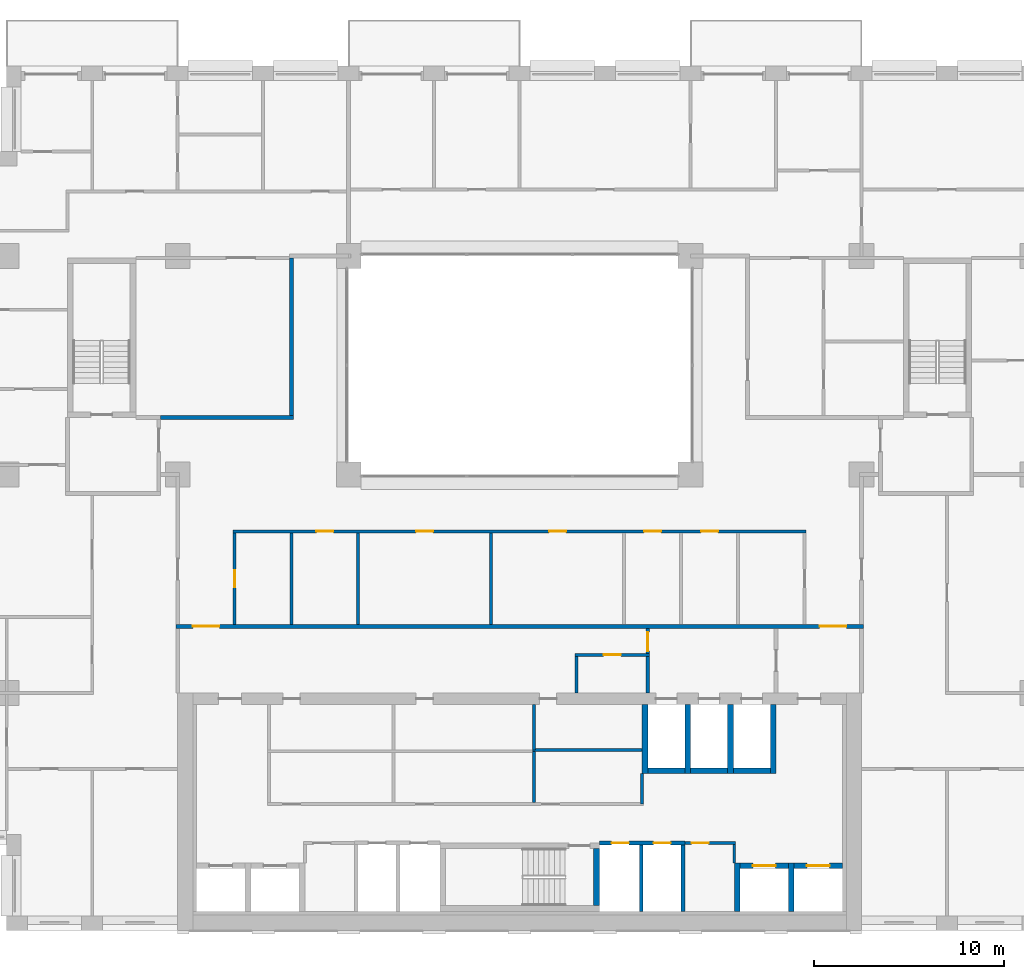
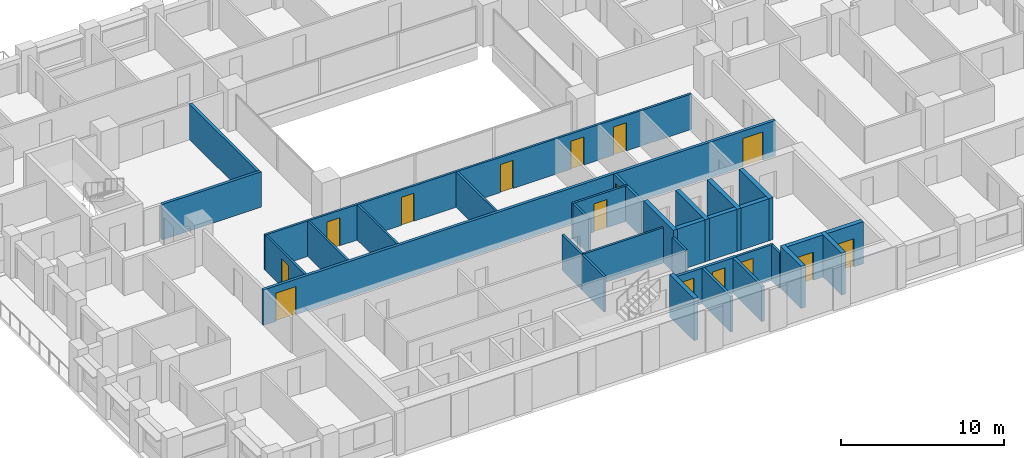
# One storey, part 10 of 17: 33 walls, 15 doors, 15 openings.
"""IFC4 building model written with IfcOpenShell, lengths in metres."""

from ifc_helpers import new_model, si_unit, direction, frame, frame_2d, origin, place, context, subcontext, project, spatial, rectangle, extrude, material, layer, layer_set, type_object, element, fill, save


model = new_model("IFC4")

# Units and contexts
model_context = context("Model", 3, precision=1e-05, world=origin(), true_north=direction((0.0, 1.0)))
body_context = subcontext(model_context, "Body", "Model", "MODEL_VIEW")
ifc_project = project(units=[si_unit("LENGTHUNIT", "METRE"), si_unit("AREAUNIT", "SQUARE_METRE"), si_unit("VOLUMEUNIT", "CUBIC_METRE"), si_unit("PLANEANGLEUNIT", "RADIAN"), si_unit("MASSUNIT", "GRAM", prefix="KILO")], contexts=[model_context])

# Site, building, storey
site_placement = place(None, origin())
site = spatial("IfcSite", under=ifc_project, at=site_placement, CompositionType="ELEMENT")
building_placement = place(site_placement, origin())
building = spatial("IfcBuilding", under=site, at=building_placement, Name="Brigalow Station Residences", CompositionType="ELEMENT")
storey_placement = place(building_placement, frame((0.0, 0.0, 127.64990234375)))
storey = spatial("IfcBuildingStorey", under=building, at=storey_placement, Name="L37", CompositionType="ELEMENT", Elevation=127.64990234375)

# Walls
ifc_material_1 = material(Name="Concrete C65", Category="concrete")
ifc_layer_1 = layer(ifc_material_1, 0.300048828125)
ifc_layer_set_1 = layer_set([ifc_layer_1], Name="CORE SHEAR WALL 300 C65")
wall_type_1 = type_object("IfcWallType", Name="CORE SHEAR WALL 300 C65", PredefinedType="SHEAR", material=ifc_layer_set_1)
wall_1_placement = place(storey_placement, frame((42.75, 8.39990234375, 0.0), z_axis=(0.0, 0.0, 1.0), x_axis=(1.0, 0.0, 0.0)))
element("IfcWall", 1, at=wall_1_placement, inside=storey, type_object=wall_type_1, Name="CORE WALL SH-FF1-S L37", PredefinedType="SHEAR", context=body_context, shape_type="SweptSolid", body=[
    extrude(rectangle(XDim=1.949951171875, YDim=0.300048828125, at=frame_2d((0.97509765625, 0.0))), origin(), (0.0, 0.0, 1.0), 3.150146484375),
])
wall_2_placement = place(storey_placement, frame((42.60009765625, 8.25, 0.0), z_axis=(0.0, 0.0, 1.0), x_axis=(0.0, 1.0, 0.0)))
element("IfcWall", 2, at=wall_2_placement, inside=storey, type_object=wall_type_1, Name="CORE WALL SH-FF1-W L37", PredefinedType="SHEAR", context=body_context, shape_type="SweptSolid", body=[
    extrude(rectangle(XDim=3.64990234375, YDim=0.300048828125, at=frame_2d((1.824951171875, 0.0))), origin(), (0.0, 0.0, 1.0), 3.150146484375),
])
wall_3_placement = place(storey_placement, frame((45.0, 8.39990234375, 0.0), z_axis=(0.0, 0.0, 1.0), x_axis=(1.0, 0.0, 0.0)))
element("IfcWall", 3, at=wall_3_placement, inside=storey, type_object=wall_type_1, Name="CORE WALL SH-FF2-S L37", PredefinedType="SHEAR", context=body_context, shape_type="SweptSolid", body=[
    extrude(rectangle(XDim=1.949951171875, YDim=0.300048828125, at=frame_2d((0.97509765625, 0.0))), origin(), (0.0, 0.0, 1.0), 3.150146484375),
])
wall_4_placement = place(storey_placement, frame((44.85009765625, 8.25, 0.0), z_axis=(0.0, 0.0, 1.0), x_axis=(0.0, 1.0, 0.0)))
element("IfcWall", 4, at=wall_4_placement, inside=storey, type_object=wall_type_1, Name="CORE WALL SH-FF2-W L37", PredefinedType="SHEAR", context=body_context, shape_type="SweptSolid", body=[
    extrude(rectangle(XDim=3.64990234375, YDim=0.300048828125, at=frame_2d((1.824951171875, 0.0))), origin(), (0.0, 0.0, 1.0), 3.150146484375),
])
wall_5_placement = place(storey_placement, frame((47.25, 8.39990234375, 0.0), z_axis=(0.0, 0.0, 1.0), x_axis=(1.0, 0.0, 0.0)))
element("IfcWall", 5, at=wall_5_placement, inside=storey, type_object=wall_type_1, Name="CORE WALL SH-SL1-S L37", PredefinedType="SHEAR", context=body_context, shape_type="SweptSolid", body=[
    extrude(rectangle(XDim=1.949951171875, YDim=0.300048828125, at=frame_2d((0.97509765625, 0.0))), origin(), (0.0, 0.0, 1.0), 3.150146484375),
])
for number, where, z_axis, x_axis, name in (
    (6, (47.10009765625, 8.25, 0.0), (0.0, 0.0, 1.0), (0.0, 1.0, 0.0), "CORE WALL SH-SL1-W L37"),
    (7, (49.35009765625, 8.25, 0.0), (0.0, 0.0, 1.0), (0.0, 1.0, 0.0), "CORE WALL SH-SL1-E L37"),
):
    element("IfcWall", number, at=place(storey_placement, frame(where, z_axis=z_axis, x_axis=x_axis)), inside=storey, type_object=wall_type_1, Name=name, PredefinedType="SHEAR", context=body_context, shape_type="SweptSolid", body=[
        extrude(rectangle(XDim=3.64990234375, YDim=0.300048828125, at=frame_2d((1.824951171875, 0.0))), origin(), (0.0, 0.0, 1.0), 3.150146484375),
    ])

# Wall, opening, door
wall_6_placement = place(storey_placement, frame((47.60009765625, 3.39990234375, 0.0), z_axis=(0.0, 0.0, 1.0), x_axis=(1.0, 0.0, 0.0)))
wall_6 = element("IfcWall", 8, at=wall_6_placement, inside=storey, type_object=wall_type_1, Name="CORE WALL SH-C3-N L37", PredefinedType="SHEAR", context=body_context, shape_type="SweptSolid", body=[
    extrude(rectangle(XDim=2.5498046875, YDim=0.300048828125, at=frame_2d((1.27490234375, 0.0))), origin(), (0.0, 0.0, 1.0), 3.150146484375),
])
opening_1_placement = place(wall_6_placement, frame((0.675048828125, 0.0, 0.0)))
opening_1 = element("IfcOpeningElement", 9, at=opening_1_placement, cuts=wall_6, Name="Opening LD-LB3", PredefinedType="OPENING", context=body_context, shape_type="SweptSolid", body=[
    extrude(rectangle(XDim=1.199951171875, YDim=2.10009765625, at=frame_2d((0.60009765625, 1.050048828125))), frame((0.0, 0.16015625, 0.0), z_axis=(0.0, -1.0, 0.0), x_axis=(1.0, 0.0, 0.0)), (0.0, 0.0, 1.0), 0.320068359375),
])
ifc_material_2 = material(Name="Stainless steel sliding door leaves", Category="steel")
door_type_1 = type_object("IfcDoorType", Name="LIFT LANDING DOOR 1200 x 2100", OperationType="DOUBLE_DOOR_SLIDING", PredefinedType="DOOR", material=ifc_material_2)
door_1_placement = place(opening_1_placement, origin())
door_1 = element("IfcDoor", 10, at=door_1_placement, inside=storey, type_object=door_type_1, Name="LANDING DOOR LB3", OperationType="DOUBLE_DOOR_SLIDING", OverallHeight=2.10009765625, OverallWidth=1.199951171875, PredefinedType="DOOR", context=body_context, shape_type="SweptSolid", body=[
    extrude(rectangle(XDim=1.199951171875, YDim=2.10009765625, at=frame_2d((0.60009765625, 1.050048828125))), frame((0.0, 0.02490234375, 0.0), z_axis=(0.0, -1.0, 0.0), x_axis=(1.0, 0.0, 0.0)), (0.0, 0.0, 1.0), 0.050048828125),
])
fill(opening_1, door_1)

# Wall
wall_7_placement = place(storey_placement, frame((47.449951171875, 1.0, 0.0), z_axis=(0.0, 0.0, 1.0), x_axis=(0.0, 1.0, 0.0)))
element("IfcWall", 11, at=wall_7_placement, inside=storey, type_object=wall_type_1, Name="CORE WALL SH-C3-W L37", PredefinedType="SHEAR", context=body_context, shape_type="SweptSolid", body=[
    extrude(rectangle(XDim=2.550048828125, YDim=0.300048828125, at=frame_2d((1.27490234375, 0.0))), origin(), (0.0, 0.0, 1.0), 3.150146484375),
])

# Wall, opening, door
wall_8_placement = place(storey_placement, frame((50.449951171875, 3.39990234375, 0.0), z_axis=(0.0, 0.0, 1.0), x_axis=(1.0, 0.0, 0.0)))
wall_8 = element("IfcWall", 12, at=wall_8_placement, inside=storey, type_object=wall_type_1, Name="CORE WALL SH-C4-N L37", PredefinedType="SHEAR", context=body_context, shape_type="SweptSolid", body=[
    extrude(rectangle(XDim=2.550048828125, YDim=0.300048828125, at=frame_2d((1.27490234375, 0.0))), origin(), (0.0, 0.0, 1.0), 3.150146484375),
])
opening_2_placement = place(wall_8_placement, frame((0.675048828125, 0.0, 0.0)))
opening_2 = element("IfcOpeningElement", 13, at=opening_2_placement, cuts=wall_8, Name="Opening LD-LB4", PredefinedType="OPENING", context=body_context, shape_type="SweptSolid", body=[
    extrude(rectangle(XDim=1.199951171875, YDim=2.10009765625, at=frame_2d((0.60009765625, 1.050048828125))), frame((0.0, 0.16015625, 0.0), z_axis=(0.0, -1.0, 0.0), x_axis=(1.0, 0.0, 0.0)), (0.0, 0.0, 1.0), 0.320068359375),
])
door_2_placement = place(opening_2_placement, origin())
door_2 = element("IfcDoor", 14, at=door_2_placement, inside=storey, type_object=door_type_1, Name="LANDING DOOR LB4", OperationType="DOUBLE_DOOR_SLIDING", OverallHeight=2.10009765625, OverallWidth=1.199951171875, PredefinedType="DOOR", context=body_context, shape_type="SweptSolid", body=[
    extrude(rectangle(XDim=1.199951171875, YDim=2.10009765625, at=frame_2d((0.60009765625, 1.050048828125))), frame((0.0, 0.02490234375, 0.0), z_axis=(0.0, -1.0, 0.0), x_axis=(1.0, 0.0, 0.0)), (0.0, 0.0, 1.0), 0.050048828125),
])
fill(opening_2, door_2)

# Walls
wall_9_placement = place(storey_placement, frame((50.300048828125, 1.0, 0.0), z_axis=(0.0, 0.0, 1.0), x_axis=(0.0, 1.0, 0.0)))
element("IfcWall", 15, at=wall_9_placement, inside=storey, type_object=wall_type_1, Name="CORE WALL SH-C4-W L37", PredefinedType="SHEAR", context=body_context, shape_type="SweptSolid", body=[
    extrude(rectangle(XDim=2.550048828125, YDim=0.300048828125, at=frame_2d((1.27490234375, 0.0))), origin(), (0.0, 0.0, 1.0), 3.150146484375),
])
wall_10_placement = place(storey_placement, frame((40.050048828125, 1.300048828125, 0.0), z_axis=(0.0, 0.0, 1.0), x_axis=(0.0, 1.0, 0.0)))
element("IfcWall", 16, at=wall_10_placement, inside=storey, type_object=wall_type_1, Name="CORE WALL ST-S2-E L37", PredefinedType="SHEAR", context=body_context, shape_type="SweptSolid", body=[
    extrude(rectangle(XDim=3.0, YDim=0.300048828125, at=frame_2d((1.5, 0.0))), origin(), (0.0, 0.0, 1.0), 3.150146484375),
])

# Wall, openings, doors
ifc_material_3 = material(Name="Concrete blockwork", Category="masonry")
ifc_layer_2 = layer(ifc_material_3, 0.199951171875)
ifc_layer_set_2 = layer_set([ifc_layer_2], Name="FIRE RATED CORE PARTITION 200")
wall_type_2 = type_object("IfcWallType", Name="FIRE RATED CORE PARTITION 200", PredefinedType="PARTITIONING", material=ifc_layer_set_2)
wall_11_placement = place(storey_placement, frame((40.199951171875, 4.60009765625, 0.0), z_axis=(0.0, 0.0, 1.0), x_axis=(1.0, 0.0, 0.0)))
wall_11 = element("IfcWall", 17, at=wall_11_placement, inside=storey, type_object=wall_type_2, Name="PW-5018", PredefinedType="PARTITIONING", context=body_context, shape_type="SweptSolid", body=[
    extrude(rectangle(XDim=4.5, YDim=0.199951171875, at=frame_2d((2.25, 0.0))), origin(), (0.0, 0.0, 1.0), 2.650146484375),
])
opening_3_placement = place(wall_11_placement, frame((0.64990234375, 0.0, 0.0)))
opening_3 = element("IfcOpeningElement", 18, at=opening_3_placement, cuts=wall_11, Name="Opening D-5009", PredefinedType="OPENING", context=body_context, shape_type="SweptSolid", body=[
    extrude(rectangle(XDim=0.89990234375, YDim=2.10009765625, at=frame_2d((0.449951171875, 1.050048828125))), frame((0.0, 0.10986328125, 0.0), z_axis=(0.0, -1.0, 0.0), x_axis=(1.0, 0.0, 0.0)), (0.0, 0.0, 1.0), 0.219970703125),
])
opening_4_placement = place(wall_11_placement, frame((2.85009765625, 0.0, 0.0)))
opening_4 = element("IfcOpeningElement", 19, at=opening_4_placement, cuts=wall_11, Name="Opening D-5010", PredefinedType="OPENING", context=body_context, shape_type="SweptSolid", body=[
    extrude(rectangle(XDim=0.89990234375, YDim=2.10009765625, at=frame_2d((0.449951171875, 1.050048828125))), frame((0.0, 0.10986328125, 0.0), z_axis=(0.0, -1.0, 0.0), x_axis=(1.0, 0.0, 0.0)), (0.0, 0.0, 1.0), 0.219970703125),
])
ifc_material_4 = material(Name="Steel fire door leaf in steel frame", Category="steel")
door_type_2 = type_object("IfcDoorType", Name="RISER ACCESS DOOR 900 x 2100 FD120", OperationType="SINGLE_SWING_LEFT", PredefinedType="DOOR", material=ifc_material_4)
door_3_placement = place(opening_3_placement, frame((0.89990234375, 0.0, 0.0), z_axis=(0.0, 0.0, 1.0), x_axis=(-1.0, 0.0, 0.0)))
door_3 = element("IfcDoor", 20, at=door_3_placement, inside=storey, type_object=door_type_2, Name="D-5009", OperationType="SINGLE_SWING_LEFT", OverallHeight=2.10009765625, OverallWidth=0.89990234375, PredefinedType="DOOR", context=body_context, shape_type="SweptSolid", body=[
    extrude(rectangle(XDim=0.89990234375, YDim=2.10009765625, at=frame_2d((0.449951171875, 1.050048828125))), frame((0.0, 0.02490234375, 0.0), z_axis=(0.0, -1.0, 0.0), x_axis=(1.0, 0.0, 0.0)), (0.0, 0.0, 1.0), 0.050048828125),
])
fill(opening_3, door_3)
door_4_placement = place(opening_4_placement, frame((0.89990234375, 0.0, 0.0), z_axis=(0.0, 0.0, 1.0), x_axis=(-1.0, 0.0, 0.0)))
door_4 = element("IfcDoor", 21, at=door_4_placement, inside=storey, type_object=door_type_2, Name="D-5010", OperationType="SINGLE_SWING_LEFT", OverallHeight=2.10009765625, OverallWidth=0.89990234375, PredefinedType="DOOR", context=body_context, shape_type="SweptSolid", body=[
    extrude(rectangle(XDim=0.89990234375, YDim=2.10009765625, at=frame_2d((0.449951171875, 1.050048828125))), frame((0.0, 0.02490234375, 0.0), z_axis=(0.0, -1.0, 0.0), x_axis=(1.0, 0.0, 0.0)), (0.0, 0.0, 1.0), 0.050048828125),
])
fill(opening_4, door_4)

# Walls
for number, where, z_axis, x_axis, name in (
    (22, (42.39990234375, 1.0, 0.0), (0.0, 0.0, 1.0), (0.0, 1.0, 0.0), "PW-5007"),
    (23, (44.60009765625, 1.0, 0.0), (0.0, 0.0, 1.0), (0.0, 1.0, 0.0), "PW-5008"),
):
    element("IfcWall", number, at=place(storey_placement, frame(where, z_axis=z_axis, x_axis=x_axis)), inside=storey, type_object=wall_type_2, Name=name, PredefinedType="PARTITIONING", context=body_context, shape_type="SweptSolid", body=[
        extrude(rectangle(XDim=3.5, YDim=0.199951171875, at=frame_2d((1.75, 0.0))), origin(), (0.0, 0.0, 1.0), 2.650146484375),
    ])
wall_12_placement = place(storey_placement, frame((42.75, 12.5, 0.0), z_axis=(0.0, 0.0, 1.0), x_axis=(0.0, 1.0, 0.0)))
element("IfcWall", 24, at=wall_12_placement, inside=storey, type_object=wall_type_2, Name="PW-5046", PredefinedType="PARTITIONING", context=body_context, shape_type="SweptSolid", body=[
    extrude(rectangle(XDim=1.925048828125, YDim=0.199951171875, at=frame_2d((0.96240234375, 0.0))), origin(), (0.0, 0.0, 1.0), 2.650146484375),
])

# Wall, opening, door
wall_13_placement = place(storey_placement, frame((42.75, 14.574951171875, 0.0), z_axis=(0.0, 0.0, 1.0), x_axis=(0.0, 1.0, 0.0)))
wall_13 = element("IfcWall", 25, at=wall_13_placement, inside=storey, type_object=wall_type_2, Name="PW-5047", PredefinedType="PARTITIONING", context=body_context, shape_type="SweptSolid", body=[
    extrude(rectangle(XDim=1.324951171875, YDim=0.199951171875, at=frame_2d((0.66259765625, 0.0))), origin(), (0.0, 0.0, 1.0), 2.650146484375),
])
opening_5_placement = place(wall_13_placement, frame((0.125, 0.0, 0.0)))
opening_5 = element("IfcOpeningElement", 26, at=opening_5_placement, cuts=wall_13, Name="Opening D-5013", PredefinedType="OPENING", context=body_context, shape_type="SweptSolid", body=[
    extrude(rectangle(XDim=1.0, YDim=2.10009765625, at=frame_2d((0.5, 1.050048828125))), frame((0.0, 0.10986328125, 0.0), z_axis=(0.0, -1.0, 0.0), x_axis=(1.0, 0.0, 0.0)), (0.0, 0.0, 1.0), 0.219970703125),
])
ifc_material_5 = material(Name="Steel fire door leaf in steel frame", Category="steel")
door_type_3 = type_object("IfcDoorType", Name="LOBBY DOOR 1000 x 2100 FD60S", OperationType="SINGLE_SWING_LEFT", PredefinedType="DOOR", material=ifc_material_5)
door_5_placement = place(opening_5_placement, origin())
door_5 = element("IfcDoor", 27, at=door_5_placement, inside=storey, type_object=door_type_3, Name="D-5013", OperationType="SINGLE_SWING_LEFT", OverallHeight=2.10009765625, OverallWidth=1.0, PredefinedType="DOOR", context=body_context, shape_type="SweptSolid", body=[
    extrude(rectangle(XDim=1.0, YDim=2.10009765625, at=frame_2d((0.5, 1.050048828125))), frame((0.0, 0.02490234375, 0.0), z_axis=(0.0, -1.0, 0.0), x_axis=(1.0, 0.0, 0.0)), (0.0, 0.0, 1.0), 0.050048828125),
])
fill(opening_5, door_5)

# Wall, openings, doors
ifc_material_6 = material(Name="Plasterboard on steel stud partition", Category="steel")
ifc_layer_3 = layer(ifc_material_6, 0.14990234375)
ifc_layer_set_3 = layer_set([ifc_layer_3], Name="FLAT PARTITION 150")
wall_type_3 = type_object("IfcWallType", Name="FLAT PARTITION 150", PredefinedType="PARTITIONING", material=ifc_layer_set_3)
wall_14_placement = place(storey_placement, frame((20.925048828125, 21.0, 0.0), z_axis=(0.0, 0.0, 1.0), x_axis=(1.0, 0.0, 0.0)))
wall_14 = element("IfcWall", 28, at=wall_14_placement, inside=storey, type_object=wall_type_3, Name="PW-2F01", PredefinedType="PARTITIONING", context=body_context, shape_type="SweptSolid", body=[
    extrude(rectangle(XDim=30.14990234375, YDim=0.14990234375, at=frame_2d((15.074951171875, 0.0))), origin(), (0.0, 0.0, 1.0), 2.650146484375),
])
opening_6_placement = place(wall_14_placement, frame((4.375, 0.0, 0.0)))
opening_6 = element("IfcOpeningElement", 29, at=opening_6_placement, cuts=wall_14, Name="Opening D-2F51", PredefinedType="OPENING", context=body_context, shape_type="SweptSolid", body=[
    extrude(rectangle(XDim=0.89990234375, YDim=2.10009765625, at=frame_2d((0.449951171875, 1.050048828125))), frame((0.0, 0.0849609375, 0.0), z_axis=(0.0, -1.0, 0.0), x_axis=(1.0, 0.0, 0.0)), (0.0, 0.0, 1.0), 0.169921875),
])
opening_7_placement = place(wall_14_placement, frame((9.625, 0.0, 0.0)))
opening_7 = element("IfcOpeningElement", 30, at=opening_7_placement, cuts=wall_14, Name="Opening D-2F52", PredefinedType="OPENING", context=body_context, shape_type="SweptSolid", body=[
    extrude(rectangle(XDim=0.89990234375, YDim=2.10009765625, at=frame_2d((0.449951171875, 1.050048828125))), frame((0.0, 0.0849609375, 0.0), z_axis=(0.0, -1.0, 0.0), x_axis=(1.0, 0.0, 0.0)), (0.0, 0.0, 1.0), 0.169921875),
])
opening_8_placement = place(wall_14_placement, frame((16.625, 0.0, 0.0)))
opening_8 = element("IfcOpeningElement", 31, at=opening_8_placement, cuts=wall_14, Name="Opening D-2F53", PredefinedType="OPENING", context=body_context, shape_type="SweptSolid", body=[
    extrude(rectangle(XDim=0.89990234375, YDim=2.10009765625, at=frame_2d((0.449951171875, 1.050048828125))), frame((0.0, 0.0849609375, 0.0), z_axis=(0.0, -1.0, 0.0), x_axis=(1.0, 0.0, 0.0)), (0.0, 0.0, 1.0), 0.169921875),
])
opening_9_placement = place(wall_14_placement, frame((21.625, 0.0, 0.0)))
opening_9 = element("IfcOpeningElement", 32, at=opening_9_placement, cuts=wall_14, Name="Opening D-2F54", PredefinedType="OPENING", context=body_context, shape_type="SweptSolid", body=[
    extrude(rectangle(XDim=0.89990234375, YDim=2.10009765625, at=frame_2d((0.449951171875, 1.050048828125))), frame((0.0, 0.0849609375, 0.0), z_axis=(0.0, -1.0, 0.0), x_axis=(1.0, 0.0, 0.0)), (0.0, 0.0, 1.0), 0.169921875),
])
opening_10_placement = place(wall_14_placement, frame((24.625, 0.0, 0.0)))
opening_10 = element("IfcOpeningElement", 33, at=opening_10_placement, cuts=wall_14, Name="Opening D-2F55", PredefinedType="OPENING", context=body_context, shape_type="SweptSolid", body=[
    extrude(rectangle(XDim=0.89990234375, YDim=2.10009765625, at=frame_2d((0.449951171875, 1.050048828125))), frame((0.0, 0.0849609375, 0.0), z_axis=(0.0, -1.0, 0.0), x_axis=(1.0, 0.0, 0.0)), (0.0, 0.0, 1.0), 0.169921875),
])
ifc_material_7 = material(Name="Solid-core timber door leaf", Category="wood")
door_type_4 = type_object("IfcDoorType", Name="INTERNAL DOOR 900 x 2100", OperationType="SINGLE_SWING_LEFT", PredefinedType="DOOR", material=ifc_material_7)
door_6_placement = place(opening_6_placement, frame((0.89990234375, 0.0, 0.0), z_axis=(0.0, 0.0, 1.0), x_axis=(-1.0, 0.0, 0.0)))
door_6 = element("IfcDoor", 34, at=door_6_placement, inside=storey, type_object=door_type_4, Name="D-2F51", OperationType="SINGLE_SWING_LEFT", OverallHeight=2.10009765625, OverallWidth=0.89990234375, PredefinedType="DOOR", context=body_context, shape_type="SweptSolid", body=[
    extrude(rectangle(XDim=0.89990234375, YDim=2.10009765625, at=frame_2d((0.449951171875, 1.050048828125))), frame((0.0, 0.02490234375, 0.0), z_axis=(0.0, -1.0, 0.0), x_axis=(1.0, 0.0, 0.0)), (0.0, 0.0, 1.0), 0.050048828125),
])
fill(opening_6, door_6)
door_7_placement = place(opening_7_placement, frame((0.89990234375, 0.0, 0.0), z_axis=(0.0, 0.0, 1.0), x_axis=(-1.0, 0.0, 0.0)))
door_7 = element("IfcDoor", 35, at=door_7_placement, inside=storey, type_object=door_type_4, Name="D-2F52", OperationType="SINGLE_SWING_LEFT", OverallHeight=2.10009765625, OverallWidth=0.89990234375, PredefinedType="DOOR", context=body_context, shape_type="SweptSolid", body=[
    extrude(rectangle(XDim=0.89990234375, YDim=2.10009765625, at=frame_2d((0.449951171875, 1.050048828125))), frame((0.0, 0.02490234375, 0.0), z_axis=(0.0, -1.0, 0.0), x_axis=(1.0, 0.0, 0.0)), (0.0, 0.0, 1.0), 0.050048828125),
])
fill(opening_7, door_7)
door_8_placement = place(opening_8_placement, frame((0.89990234375, 0.0, 0.0), z_axis=(0.0, 0.0, 1.0), x_axis=(-1.0, 0.0, 0.0)))
door_8 = element("IfcDoor", 36, at=door_8_placement, inside=storey, type_object=door_type_4, Name="D-2F53", OperationType="SINGLE_SWING_LEFT", OverallHeight=2.10009765625, OverallWidth=0.89990234375, PredefinedType="DOOR", context=body_context, shape_type="SweptSolid", body=[
    extrude(rectangle(XDim=0.89990234375, YDim=2.10009765625, at=frame_2d((0.449951171875, 1.050048828125))), frame((0.0, 0.02490234375, 0.0), z_axis=(0.0, -1.0, 0.0), x_axis=(1.0, 0.0, 0.0)), (0.0, 0.0, 1.0), 0.050048828125),
])
fill(opening_8, door_8)
door_9_placement = place(opening_9_placement, frame((0.89990234375, 0.0, 0.0), z_axis=(0.0, 0.0, 1.0), x_axis=(-1.0, 0.0, 0.0)))
door_9 = element("IfcDoor", 37, at=door_9_placement, inside=storey, type_object=door_type_4, Name="D-2F54", OperationType="SINGLE_SWING_RIGHT", OverallHeight=2.10009765625, OverallWidth=0.89990234375, PredefinedType="DOOR", context=body_context, shape_type="SweptSolid", body=[
    extrude(rectangle(XDim=0.89990234375, YDim=2.10009765625, at=frame_2d((0.449951171875, 1.050048828125))), frame((0.0, 0.02490234375, 0.0), z_axis=(0.0, -1.0, 0.0), x_axis=(1.0, 0.0, 0.0)), (0.0, 0.0, 1.0), 0.050048828125),
])
fill(opening_9, door_9)
door_10_placement = place(opening_10_placement, frame((0.89990234375, 0.0, 0.0), z_axis=(0.0, 0.0, 1.0), x_axis=(-1.0, 0.0, 0.0)))
door_10 = element("IfcDoor", 38, at=door_10_placement, inside=storey, type_object=door_type_4, Name="D-2F55", OperationType="SINGLE_SWING_LEFT", OverallHeight=2.10009765625, OverallWidth=0.89990234375, PredefinedType="DOOR", context=body_context, shape_type="SweptSolid", body=[
    extrude(rectangle(XDim=0.89990234375, YDim=2.10009765625, at=frame_2d((0.449951171875, 1.050048828125))), frame((0.0, 0.02490234375, 0.0), z_axis=(0.0, -1.0, 0.0), x_axis=(1.0, 0.0, 0.0)), (0.0, 0.0, 1.0), 0.050048828125),
])
fill(opening_10, door_10)

# Wall, opening, door
wall_15_placement = place(storey_placement, frame((21.0, 16.10009765625, 0.0), z_axis=(0.0, 0.0, 1.0), x_axis=(0.0, 1.0, 0.0)))
wall_15 = element("IfcWall", 39, at=wall_15_placement, inside=storey, type_object=wall_type_3, Name="PW-2F43", PredefinedType="PARTITIONING", context=body_context, shape_type="SweptSolid", body=[
    extrude(rectangle(XDim=4.824951171875, YDim=0.14990234375, at=frame_2d((2.41259765625, 0.0))), origin(), (0.0, 0.0, 1.0), 2.650146484375),
])
opening_11_placement = place(wall_15_placement, frame((1.949951171875, 0.0, 0.0)))
opening_11 = element("IfcOpeningElement", 40, at=opening_11_placement, cuts=wall_15, Name="Opening D-2F50", PredefinedType="OPENING", context=body_context, shape_type="SweptSolid", body=[
    extrude(rectangle(XDim=0.89990234375, YDim=2.10009765625, at=frame_2d((0.449951171875, 1.050048828125))), frame((0.0, 0.0849609375, 0.0), z_axis=(0.0, -1.0, 0.0), x_axis=(1.0, 0.0, 0.0)), (0.0, 0.0, 1.0), 0.169921875),
])
door_11_placement = place(opening_11_placement, frame((0.89990234375, 0.0, 0.0), z_axis=(0.0, 0.0, 1.0), x_axis=(-1.0, 0.0, 0.0)))
door_11 = element("IfcDoor", 41, at=door_11_placement, inside=storey, type_object=door_type_4, Name="D-2F50", OperationType="SINGLE_SWING_RIGHT", OverallHeight=2.10009765625, OverallWidth=0.89990234375, PredefinedType="DOOR", context=body_context, shape_type="SweptSolid", body=[
    extrude(rectangle(XDim=0.89990234375, YDim=2.10009765625, at=frame_2d((0.449951171875, 1.050048828125))), frame((0.0, 0.02490234375, 0.0), z_axis=(0.0, -1.0, 0.0), x_axis=(1.0, 0.0, 0.0)), (0.0, 0.0, 1.0), 0.050048828125),
])
fill(opening_11, door_11)

# Walls
for number, where, z_axis, x_axis, name in (
    (42, (24.0, 16.10009765625, 0.0), (0.0, 0.0, 1.0), (0.0, 1.0, 0.0), "PW-2F45"),
    (43, (27.5, 16.10009765625, 0.0), (0.0, 0.0, 1.0), (0.0, 1.0, 0.0), "PW-2F72"),
    (44, (34.5, 16.10009765625, 0.0), (0.0, 0.0, 1.0), (0.0, 1.0, 0.0), "PW-2F73"),
):
    element("IfcWall", number, at=place(storey_placement, frame(where, z_axis=z_axis, x_axis=x_axis)), inside=storey, type_object=wall_type_3, Name=name, PredefinedType="PARTITIONING", context=body_context, shape_type="SweptSolid", body=[
        extrude(rectangle(XDim=4.824951171875, YDim=0.14990234375, at=frame_2d((2.41259765625, 0.0))), origin(), (0.0, 0.0, 1.0), 2.650146484375),
    ])
ifc_material_8 = material(Name="Plasterboard on steel stud partition", Category="steel")
ifc_layer_4 = layer(ifc_material_8, 0.199951171875)
ifc_layer_set_4 = layer_set([ifc_layer_4], Name="PARTY AND CORRIDOR WALL 200")
wall_type_4 = type_object("IfcWallType", Name="PARTY AND CORRIDOR WALL 200", PredefinedType="PARTITIONING", material=ifc_layer_set_4)
wall_16_placement = place(storey_placement, frame((17.10009765625, 27.0, 0.0), z_axis=(0.0, 0.0, 1.0), x_axis=(1.0, 0.0, 0.0)))
element("IfcWall", 45, at=wall_16_placement, inside=storey, type_object=wall_type_4, Name="PW-2F05", PredefinedType="PARTITIONING", context=body_context, shape_type="SweptSolid", body=[
    extrude(rectangle(XDim=7.0, YDim=0.199951171875, at=frame_2d((3.5, 0.0))), origin(), (0.0, 0.0, 1.0), 2.650146484375),
])

# Wall, openings, doors
wall_17_placement = place(storey_placement, frame((17.89990234375, 16.0, 0.0), z_axis=(0.0, 0.0, 1.0), x_axis=(1.0, 0.0, 0.0)))
wall_17 = element("IfcWall", 46, at=wall_17_placement, inside=storey, type_object=wall_type_4, Name="PW-2F38", PredefinedType="PARTITIONING", context=body_context, shape_type="SweptSolid", body=[
    extrude(rectangle(XDim=36.2001953125, YDim=0.199951171875, at=frame_2d((18.10009765625, 0.0))), origin(), (0.0, 0.0, 1.0), 2.650146484375),
])
opening_12_placement = place(wall_17_placement, frame((0.89990234375, 0.0, 0.0)))
opening_12 = element("IfcOpeningElement", 47, at=opening_12_placement, cuts=wall_17, Name="Opening D-2F01", PredefinedType="OPENING", context=body_context, shape_type="SweptSolid", body=[
    extrude(rectangle(XDim=1.39990234375, YDim=2.10009765625, at=frame_2d((0.699951171875, 1.050048828125))), frame((0.0, 0.10986328125, 0.0), z_axis=(0.0, -1.0, 0.0), x_axis=(1.0, 0.0, 0.0)), (0.0, 0.0, 1.0), 0.219970703125),
])
opening_13_placement = place(wall_17_placement, frame((33.89990234375, 0.0, 0.0)))
opening_13 = element("IfcOpeningElement", 48, at=opening_13_placement, cuts=wall_17, Name="Opening D-2F02", PredefinedType="OPENING", context=body_context, shape_type="SweptSolid", body=[
    extrude(rectangle(XDim=1.39990234375, YDim=2.10009765625, at=frame_2d((0.699951171875, 1.050048828125))), frame((0.0, 0.10986328125, 0.0), z_axis=(0.0, -1.0, 0.0), x_axis=(1.0, 0.0, 0.0)), (0.0, 0.0, 1.0), 0.219970703125),
])
ifc_material_9 = material(Name="Solid-core timber door leaf", Category="wood")
door_type_5 = type_object("IfcDoorType", Name="CORRIDOR FIRE DOOR 1400 x 2100 FRL -/60/30", OperationType="DOUBLE_DOOR_SINGLE_SWING", PredefinedType="DOOR", material=ifc_material_9)
door_12_placement = place(opening_12_placement, frame((1.39990234375, 0.0, 0.0), z_axis=(0.0, 0.0, 1.0), x_axis=(-1.0, 0.0, 0.0)))
door_12 = element("IfcDoor", 49, at=door_12_placement, inside=storey, type_object=door_type_5, Name="D-2F01", OperationType="DOUBLE_DOOR_SINGLE_SWING", OverallHeight=2.10009765625, OverallWidth=1.39990234375, PredefinedType="DOOR", context=body_context, shape_type="SweptSolid", body=[
    extrude(rectangle(XDim=1.39990234375, YDim=2.10009765625, at=frame_2d((0.699951171875, 1.050048828125))), frame((0.0, 0.02490234375, 0.0), z_axis=(0.0, -1.0, 0.0), x_axis=(1.0, 0.0, 0.0)), (0.0, 0.0, 1.0), 0.050048828125),
])
fill(opening_12, door_12)
door_13_placement = place(opening_13_placement, frame((1.39990234375, 0.0, 0.0), z_axis=(0.0, 0.0, 1.0), x_axis=(-1.0, 0.0, 0.0)))
door_13 = element("IfcDoor", 50, at=door_13_placement, inside=storey, type_object=door_type_5, Name="D-2F02", OperationType="DOUBLE_DOOR_SINGLE_SWING", OverallHeight=2.10009765625, OverallWidth=1.39990234375, PredefinedType="DOOR", context=body_context, shape_type="SweptSolid", body=[
    extrude(rectangle(XDim=1.39990234375, YDim=2.10009765625, at=frame_2d((0.699951171875, 1.050048828125))), frame((0.0, 0.02490234375, 0.0), z_axis=(0.0, -1.0, 0.0), x_axis=(1.0, 0.0, 0.0)), (0.0, 0.0, 1.0), 0.050048828125),
])
fill(opening_13, door_13)

# Wall
wall_18_placement = place(storey_placement, frame((24.0, 27.10009765625, 0.0), z_axis=(0.0, 0.0, 1.0), x_axis=(0.0, 1.0, 0.0)))
element("IfcWall", 51, at=wall_18_placement, inside=storey, type_object=wall_type_4, Name="PW-2F46", PredefinedType="PARTITIONING", context=body_context, shape_type="SweptSolid", body=[
    extrude(rectangle(XDim=8.2998046875, YDim=0.199951171875, at=frame_2d((4.14990234375, 0.0))), origin(), (0.0, 0.0, 1.0), 2.650146484375),
])

# Wall, opening, door
ifc_material_10 = material(Name="Plasterboard on steel studs", Category="steel")
ifc_layer_5 = layer(ifc_material_10, 0.14990234375)
ifc_layer_set_5 = layer_set([ifc_layer_5], Name="SERVICE ROOM PARTITION 150")
wall_type_5 = type_object("IfcWallType", Name="SERVICE ROOM PARTITION 150", PredefinedType="PARTITIONING", material=ifc_layer_set_5)
wall_19_placement = place(storey_placement, frame((44.699951171875, 4.60009765625, 0.0), z_axis=(0.0, 0.0, 1.0), x_axis=(1.0, 0.0, 0.0)))
wall_19 = element("IfcWall", 52, at=wall_19_placement, inside=storey, type_object=wall_type_5, Name="PW-5156", PredefinedType="PARTITIONING", context=body_context, shape_type="SweptSolid", body=[
    extrude(rectangle(XDim=2.675048828125, YDim=0.14990234375, at=frame_2d((1.33740234375, 0.0))), origin(), (0.0, 0.0, 1.0), 2.650146484375),
])
opening_14_placement = place(wall_19_placement, frame((0.35009765625, 0.0, 0.0)))
opening_14 = element("IfcOpeningElement", 53, at=opening_14_placement, cuts=wall_19, Name="Opening D-5026", PredefinedType="OPENING", context=body_context, shape_type="SweptSolid", body=[
    extrude(rectangle(XDim=0.89990234375, YDim=2.10009765625, at=frame_2d((0.449951171875, 1.050048828125))), frame((0.0, 0.0849609375, 0.0), z_axis=(0.0, -1.0, 0.0), x_axis=(1.0, 0.0, 0.0)), (0.0, 0.0, 1.0), 0.169921875),
])
ifc_material_11 = material(Name="Steel door leaf in steel frame", Category="steel")
door_type_6 = type_object("IfcDoorType", Name="SERVICE ROOM DOOR 900 x 2100 FD60", OperationType="SINGLE_SWING_LEFT", PredefinedType="DOOR", material=ifc_material_11)
door_14_placement = place(opening_14_placement, frame((0.89990234375, 0.0, 0.0), z_axis=(0.0, 0.0, 1.0), x_axis=(-1.0, 0.0, 0.0)))
door_14 = element("IfcDoor", 54, at=door_14_placement, inside=storey, type_object=door_type_6, Name="D-5026", OperationType="SINGLE_SWING_RIGHT", OverallHeight=2.10009765625, OverallWidth=0.89990234375, PredefinedType="DOOR", context=body_context, shape_type="SweptSolid", body=[
    extrude(rectangle(XDim=0.89990234375, YDim=2.10009765625, at=frame_2d((0.449951171875, 1.050048828125))), frame((0.0, 0.02490234375, 0.0), z_axis=(0.0, -1.0, 0.0), x_axis=(1.0, 0.0, 0.0)), (0.0, 0.0, 1.0), 0.050048828125),
])
fill(opening_14, door_14)

# Wall
wall_20_placement = place(storey_placement, frame((36.675048828125, 9.5, 0.0), z_axis=(0.0, 0.0, 1.0), x_axis=(1.0, 0.0, 0.0)))
element("IfcWall", 55, at=wall_20_placement, inside=storey, type_object=wall_type_5, Name="PW-5215", PredefinedType="PARTITIONING", context=body_context, shape_type="SweptSolid", body=[
    extrude(rectangle(XDim=5.77490234375, YDim=0.14990234375, at=frame_2d((2.887451171875, 0.0))), origin(), (0.0, 0.0, 1.0), 2.650146484375),
])

# Wall, opening, door
wall_21_placement = place(storey_placement, frame((38.925048828125, 14.5, 0.0), z_axis=(0.0, 0.0, 1.0), x_axis=(1.0, 0.0, 0.0)))
wall_21 = element("IfcWall", 56, at=wall_21_placement, inside=storey, type_object=wall_type_5, Name="PW-5129", PredefinedType="PARTITIONING", context=body_context, shape_type="SweptSolid", body=[
    extrude(rectangle(XDim=3.925048828125, YDim=0.14990234375, at=frame_2d((1.96240234375, 0.0))), origin(), (0.0, 0.0, 1.0), 2.650146484375),
])
opening_15_placement = place(wall_21_placement, frame((1.5, 0.0, 0.0)))
opening_15 = element("IfcOpeningElement", 57, at=opening_15_placement, cuts=wall_21, Name="Opening D-5076", PredefinedType="OPENING", context=body_context, shape_type="SweptSolid", body=[
    extrude(rectangle(XDim=0.89990234375, YDim=2.10009765625, at=frame_2d((0.449951171875, 1.050048828125))), frame((0.0, 0.0849609375, 0.0), z_axis=(0.0, -1.0, 0.0), x_axis=(1.0, 0.0, 0.0)), (0.0, 0.0, 1.0), 0.169921875),
])
door_15_placement = place(opening_15_placement, frame((0.89990234375, 0.0, 0.0), z_axis=(0.0, 0.0, 1.0), x_axis=(-1.0, 0.0, 0.0)))
door_15 = element("IfcDoor", 58, at=door_15_placement, inside=storey, type_object=door_type_6, Name="D-5076", OperationType="SINGLE_SWING_LEFT", OverallHeight=2.10009765625, OverallWidth=0.89990234375, PredefinedType="DOOR", context=body_context, shape_type="SweptSolid", body=[
    extrude(rectangle(XDim=0.89990234375, YDim=2.10009765625, at=frame_2d((0.449951171875, 1.050048828125))), frame((0.0, 0.02490234375, 0.0), z_axis=(0.0, -1.0, 0.0), x_axis=(1.0, 0.0, 0.0)), (0.0, 0.0, 1.0), 0.050048828125),
])
fill(opening_15, door_15)

# Walls
wall_22_placement = place(storey_placement, frame((47.300048828125, 3.550048828125, 0.0), z_axis=(0.0, 0.0, 1.0), x_axis=(0.0, 1.0, 0.0)))
element("IfcWall", 59, at=wall_22_placement, inside=storey, type_object=wall_type_5, Name="PW-5158", PredefinedType="PARTITIONING", context=body_context, shape_type="SweptSolid", body=[
    extrude(rectangle(XDim=0.974853515625, YDim=0.14990234375, at=frame_2d((0.4873046875, 0.0))), origin(), (0.0, 0.0, 1.0), 2.650146484375),
])
wall_23_placement = place(storey_placement, frame((42.449951171875, 6.64990234375, 0.0), z_axis=(0.0, 0.0, 1.0), x_axis=(0.0, 1.0, 0.0)))
element("IfcWall", 60, at=wall_23_placement, inside=storey, type_object=wall_type_5, Name="PW-5029", PredefinedType="PARTITIONING", context=body_context, shape_type="SweptSolid", body=[
    extrude(rectangle(XDim=1.60009765625, YDim=0.14990234375, at=frame_2d((0.800048828125, 0.0))), origin(), (0.0, 0.0, 1.0), 2.650146484375),
])
wall_24_placement = place(storey_placement, frame((36.75, 6.72509765625, 0.0), z_axis=(0.0, 0.0, 1.0), x_axis=(0.0, 1.0, 0.0)))
element("IfcWall", 61, at=wall_24_placement, inside=storey, type_object=wall_type_5, Name="PW-5239", PredefinedType="PARTITIONING", context=body_context, shape_type="SweptSolid", body=[
    extrude(rectangle(XDim=2.699951171875, YDim=0.14990234375, at=frame_2d((1.35009765625, 0.0))), origin(), (0.0, 0.0, 1.0), 2.650146484375),
])
wall_25_placement = place(storey_placement, frame((36.75, 9.5048828125, 0.0), z_axis=(0.0, 0.0, 1.0), x_axis=(0.0, 1.0, 0.0)))
element("IfcWall", 62, at=wall_25_placement, inside=storey, type_object=wall_type_5, Name="PW-5242", PredefinedType="PARTITIONING", context=body_context, shape_type="SweptSolid", body=[
    extrude(rectangle(XDim=2.39501953125, YDim=0.14990234375, at=frame_2d((1.197509765625, 0.0))), origin(), (0.0, 0.0, 1.0), 2.650146484375),
])
wall_26_placement = place(storey_placement, frame((39.0, 12.5, 0.0), z_axis=(0.0, 0.0, 1.0), x_axis=(0.0, 1.0, 0.0)))
element("IfcWall", 63, at=wall_26_placement, inside=storey, type_object=wall_type_5, Name="PW-5136", PredefinedType="PARTITIONING", context=body_context, shape_type="SweptSolid", body=[
    extrude(rectangle(XDim=1.925048828125, YDim=0.14990234375, at=frame_2d((0.96240234375, 0.0))), origin(), (0.0, 0.0, 1.0), 2.650146484375),
])

save(model, "model.ifc")
